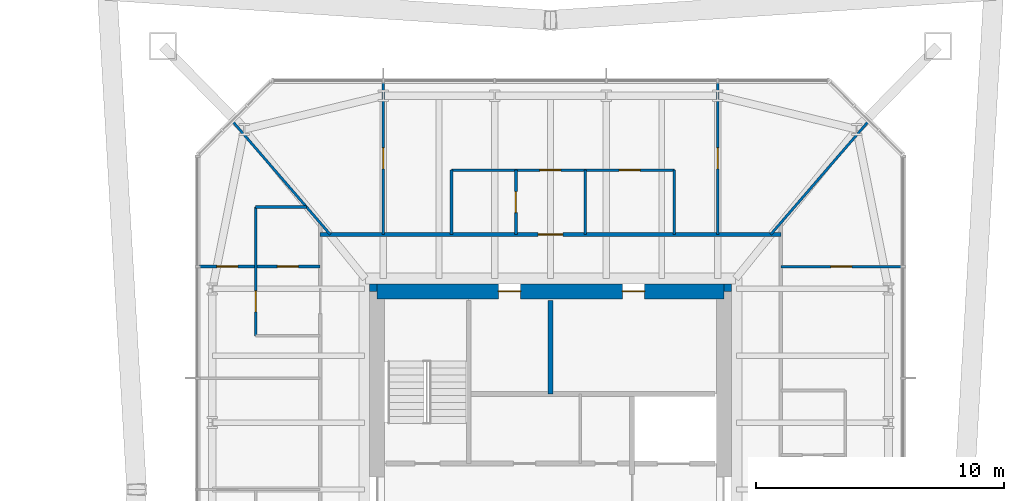
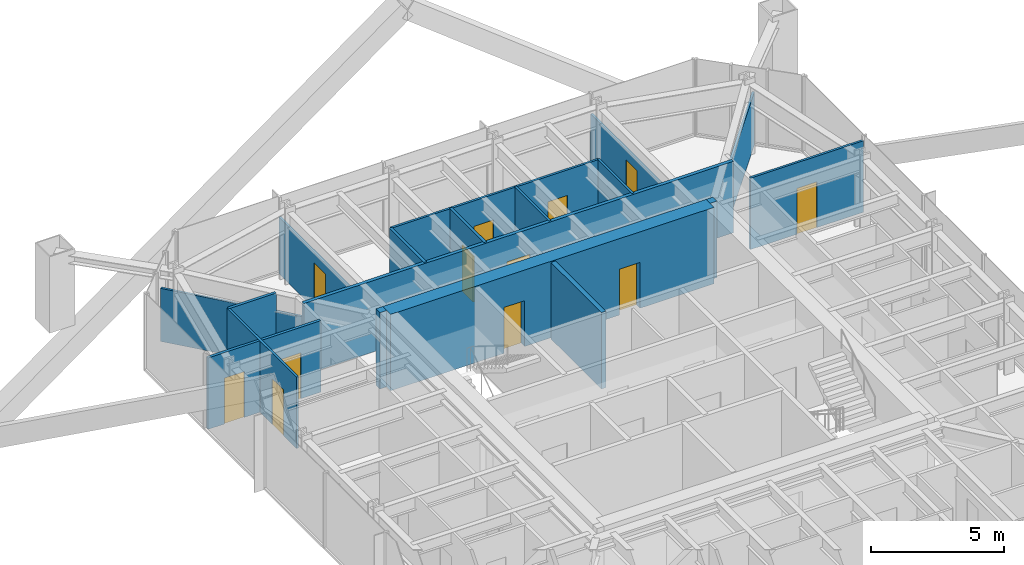
# One storey, part 16 of 21: 18 walls, 12 doors, 12 openings.
"""IFC4 building model written with IfcOpenShell, lengths in metres."""

from ifc_helpers import new_model, si_unit, direction, frame, frame_2d, origin, place, context, subcontext, project, spatial, rectangle, extrude, material, layer, layer_set, type_object, element, fill, save


model = new_model("IFC4")

# Units and contexts
model_context = context("Model", 3, precision=1e-05, world=origin(), true_north=direction((0.0, 1.0)))
body_context = subcontext(model_context, "Body", "Model", "MODEL_VIEW")
ifc_project = project(units=[si_unit("LENGTHUNIT", "METRE"), si_unit("AREAUNIT", "SQUARE_METRE"), si_unit("VOLUMEUNIT", "CUBIC_METRE"), si_unit("PLANEANGLEUNIT", "RADIAN"), si_unit("MASSUNIT", "GRAM", prefix="KILO")], contexts=[model_context])

# Site, building, storey
site_placement = place(None, origin())
site = spatial("IfcSite", under=ifc_project, at=site_placement, CompositionType="ELEMENT")
building_placement = place(site_placement, origin())
building = spatial("IfcBuilding", under=site, at=building_placement, Name="Iwan Alto Co-Living Towers", CompositionType="ELEMENT")
storey_placement = place(building_placement, frame((0.0, 0.0, 80.5)))
storey = spatial("IfcBuildingStorey", under=building, at=storey_placement, Name="L21", CompositionType="ELEMENT", Elevation=80.5)

# Wall, opening, door
ifc_material_1 = material(Name="Gypsum board")
ifc_layer_1 = layer(ifc_material_1, 0.02490234375, Name="Board", Category="Finish")
ifc_material_2 = material(Name="Steel ASTM A1003 ST33H cold-formed studs", Category="steel")
ifc_layer_2 = layer(ifc_material_2, 0.10009765625, Name="Studs", Category="Framing")
ifc_layer_3 = layer(ifc_material_1, 0.02490234375, Name="Board", Category="Finish")
ifc_layer_set_1 = layer_set([ifc_layer_1, ifc_layer_2, ifc_layer_3], Name="CORRIDOR WALL 150")
wall_type_1 = type_object("IfcWallType", Name="CORRIDOR WALL 150", PredefinedType="PARTITIONING", material=ifc_layer_set_1)
wall_1_placement = place(storey_placement, frame((53.699951171875, 10.300048828125, 0.0), z_axis=(0.0, 0.0, 1.0), x_axis=(1.0, 0.0, 0.0)))
wall_1 = element("IfcWall", 1, at=wall_1_placement, inside=storey, type_object=wall_type_1, Name="Partition L21", PredefinedType="PARTITIONING", context=body_context, shape_type="SweptSolid", body=[
    extrude(rectangle(XDim=18.60009765625, YDim=0.14990234375, at=frame_2d((9.300048828125, 0.0))), origin(), (0.0, 0.0, 1.0), 3.27001953125),
])
opening_1_placement = place(wall_1_placement, frame((8.800048828125, 0.0, 0.0)))
opening_1 = element("IfcOpeningElement", 2, at=opening_1_placement, cuts=wall_1, Name="Opening D3", PredefinedType="OPENING", context=body_context, shape_type="SweptSolid", body=[
    extrude(rectangle(XDim=1.0, YDim=2.10009765625, at=frame_2d((0.5, 1.050048828125))), frame((0.0, 0.0849609375, 0.0), z_axis=(0.0, -1.0, 0.0), x_axis=(1.0, 0.0, 0.0)), (0.0, 0.0, 1.0), 0.169921875),
])
ifc_material_3 = material(Name="Steel frame with timber leaf", Category="steel")
door_type_1 = type_object("IfcDoorType", Name="FLAT ENTRANCE DOOR FD30S 1000X2100", OperationType="SINGLE_SWING_LEFT", PredefinedType="DOOR", material=ifc_material_3)
door_1_placement = place(opening_1_placement, origin())
door_1 = element("IfcDoor", 3, at=door_1_placement, inside=storey, type_object=door_type_1, Name="Apartment foyer door L21", OperationType="SINGLE_SWING_LEFT", OverallHeight=2.10009765625, OverallWidth=1.0, PredefinedType="DOOR", context=body_context, shape_type="SweptSolid", body=[
    extrude(rectangle(XDim=1.0, YDim=2.10009765625, at=frame_2d((0.5, 1.050048828125))), frame((0.0, 0.02490234375, 0.0), z_axis=(0.0, -1.0, 0.0), x_axis=(1.0, 0.0, 0.0)), (0.0, 0.0, 1.0), 0.050048828125),
])
fill(opening_1, door_1)

ifc_layer_4 = layer(ifc_material_1, 0.012451171875, Name="Board", Category="Finish")
ifc_layer_5 = layer(ifc_material_2, 0.074951171875, Name="Studs", Category="Framing")
ifc_layer_6 = layer(ifc_material_1, 0.012451171875, Name="Board", Category="Finish")
ifc_layer_set_2 = layer_set([ifc_layer_4, ifc_layer_5, ifc_layer_6], Name="PARTITION 100")
wall_type_2 = type_object("IfcWallType", Name="PARTITION 100", PredefinedType="PARTITIONING", material=ifc_layer_set_2)
wall_2_placement = place(storey_placement, frame((72.300048828125, 9.0, 0.0), z_axis=(0.0, 0.0, 1.0), x_axis=(1.0, 0.0, 0.0)))
wall_2 = element("IfcWall", 4, at=wall_2_placement, inside=storey, type_object=wall_type_2, Name="Partition L21", PredefinedType="PARTITIONING", context=body_context, shape_type="SweptSolid", body=[
    extrude(rectangle(XDim=4.889892578125, YDim=0.10009765625, at=frame_2d((2.44482421875, 0.0))), origin(), (0.0, 0.0, 1.0), 3.27001953125),
])
opening_2_placement = place(wall_2_placement, frame((2.02001953125, 0.0, 0.0)))
opening_2 = element("IfcOpeningElement", 5, at=opening_2_placement, cuts=wall_2, Name="Opening D2", PredefinedType="OPENING", context=body_context, shape_type="SweptSolid", body=[
    extrude(rectangle(XDim=0.85009765625, YDim=2.10009765625, at=frame_2d((0.425048828125, 1.050048828125))), frame((0.0, 0.06005859375, 0.0), z_axis=(0.0, -1.0, 0.0), x_axis=(1.0, 0.0, 0.0)), (0.0, 0.0, 1.0), 0.1201171875),
])
ifc_material_4 = material(Name="Timber leaf in steel frame", Category="steel")
door_type_2 = type_object("IfcDoorType", Name="ROOM DOOR 850X2100", OperationType="SINGLE_SWING_LEFT", PredefinedType="DOOR", material=ifc_material_4)
door_2_placement = place(opening_2_placement, frame((0.85009765625, 0.0, 0.0), z_axis=(0.0, 0.0, 1.0), x_axis=(-1.0, 0.0, 0.0)))
door_2 = element("IfcDoor", 6, at=door_2_placement, inside=storey, type_object=door_type_2, Name="Bedroom door L21", OperationType="SINGLE_SWING_RIGHT", OverallHeight=2.10009765625, OverallWidth=0.85009765625, PredefinedType="DOOR", context=body_context, shape_type="SweptSolid", body=[
    extrude(rectangle(XDim=0.85009765625, YDim=2.10009765625, at=frame_2d((0.425048828125, 1.050048828125))), frame((0.0, 0.02490234375, 0.0), z_axis=(0.0, -1.0, 0.0), x_axis=(1.0, 0.0, 0.0)), (0.0, 0.0, 1.0), 0.050048828125),
])
fill(opening_2, door_2)

# Wall, openings, doors
wall_3_placement = place(storey_placement, frame((59.0, 12.89990234375, 0.0), z_axis=(0.0, 0.0, 1.0), x_axis=(1.0, 0.0, 0.0)))
wall_3 = element("IfcWall", 7, at=wall_3_placement, inside=storey, type_object=wall_type_2, Name="Partition L21", PredefinedType="PARTITIONING", context=body_context, shape_type="SweptSolid", body=[
    extrude(rectangle(XDim=9.0, YDim=0.10009765625, at=frame_2d((4.5, 0.0))), origin(), (0.0, 0.0, 1.0), 3.27001953125),
])
opening_3_placement = place(wall_3_placement, frame((6.77490234375, 0.0, 0.0)))
opening_3 = element("IfcOpeningElement", 8, at=opening_3_placement, cuts=wall_3, Name="Opening D2", PredefinedType="OPENING", context=body_context, shape_type="SweptSolid", body=[
    extrude(rectangle(XDim=0.85009765625, YDim=2.10009765625, at=frame_2d((0.425048828125, 1.050048828125))), frame((0.0, 0.06005859375, 0.0), z_axis=(0.0, -1.0, 0.0), x_axis=(1.0, 0.0, 0.0)), (0.0, 0.0, 1.0), 0.1201171875),
])
opening_4_placement = place(wall_3_placement, frame((3.574951171875, 0.0, 0.0)))
opening_4 = element("IfcOpeningElement", 9, at=opening_4_placement, cuts=wall_3, Name="Opening D2", PredefinedType="OPENING", context=body_context, shape_type="SweptSolid", body=[
    extrude(rectangle(XDim=0.85009765625, YDim=2.10009765625, at=frame_2d((0.425048828125, 1.050048828125))), frame((0.0, 0.06005859375, 0.0), z_axis=(0.0, -1.0, 0.0), x_axis=(1.0, 0.0, 0.0)), (0.0, 0.0, 1.0), 0.1201171875),
])
door_3_placement = place(opening_3_placement, origin())
door_3 = element("IfcDoor", 10, at=door_3_placement, inside=storey, type_object=door_type_2, Name="Kitchen door L21", OperationType="SINGLE_SWING_RIGHT", OverallHeight=2.10009765625, OverallWidth=0.85009765625, PredefinedType="DOOR", context=body_context, shape_type="SweptSolid", body=[
    extrude(rectangle(XDim=0.85009765625, YDim=2.10009765625, at=frame_2d((0.425048828125, 1.050048828125))), frame((0.0, 0.02490234375, 0.0), z_axis=(0.0, -1.0, 0.0), x_axis=(1.0, 0.0, 0.0)), (0.0, 0.0, 1.0), 0.050048828125),
])
fill(opening_3, door_3)
door_4_placement = place(opening_4_placement, origin())
door_4 = element("IfcDoor", 11, at=door_4_placement, inside=storey, type_object=door_type_2, Name="Apartment foyer door L21", OperationType="SINGLE_SWING_LEFT", OverallHeight=2.10009765625, OverallWidth=0.85009765625, PredefinedType="DOOR", context=body_context, shape_type="SweptSolid", body=[
    extrude(rectangle(XDim=0.85009765625, YDim=2.10009765625, at=frame_2d((0.425048828125, 1.050048828125))), frame((0.0, 0.02490234375, 0.0), z_axis=(0.0, -1.0, 0.0), x_axis=(1.0, 0.0, 0.0)), (0.0, 0.0, 1.0), 0.050048828125),
])
fill(opening_4, door_4)

# Wall
wall_4_placement = place(storey_placement, frame((71.89501953125, 10.300048828125, 0.0), z_axis=(0.0, 0.0, 1.0), x_axis=(0.65378286253, 0.756682211144, 0.0)))
element("IfcWall", 12, at=wall_4_placement, inside=storey, type_object=wall_type_2, Name="Partition L21", PredefinedType="PARTITIONING", context=body_context, shape_type="SweptSolid", body=[
    extrude(rectangle(XDim=6.005126953125, YDim=0.10009765625, at=frame_2d((3.00244140625, 0.0))), origin(), (0.0, 0.0, 1.0), 2.42919921875),
])

# Wall, opening, door
wall_5_placement = place(storey_placement, frame((69.75, 10.300048828125, 0.0), z_axis=(0.0, 0.0, 1.0), x_axis=(0.0, 1.0, 0.0)))
wall_5 = element("IfcWall", 13, at=wall_5_placement, inside=storey, type_object=wall_type_2, Name="Partition L21", PredefinedType="PARTITIONING", context=body_context, shape_type="SweptSolid", body=[
    extrude(rectangle(XDim=6.139892578125, YDim=0.10009765625, at=frame_2d((3.06982421875, 0.0))), origin(), (0.0, 0.0, 1.0), 2.586669921875),
])
opening_5_placement = place(wall_5_placement, frame((2.64501953125, 0.0, 0.0)))
opening_5 = element("IfcOpeningElement", 14, at=opening_5_placement, cuts=wall_5, Name="Opening D2", PredefinedType="OPENING", context=body_context, shape_type="SweptSolid", body=[
    extrude(rectangle(XDim=0.85009765625, YDim=2.10009765625, at=frame_2d((0.425048828125, 1.050048828125))), frame((0.0, 0.06005859375, 0.0), z_axis=(0.0, -1.0, 0.0), x_axis=(1.0, 0.0, 0.0)), (0.0, 0.0, 1.0), 0.1201171875),
])
door_5_placement = place(opening_5_placement, origin())
door_5 = element("IfcDoor", 15, at=door_5_placement, inside=storey, type_object=door_type_2, Name="Bedroom door L21", OperationType="SINGLE_SWING_LEFT", OverallHeight=2.10009765625, OverallWidth=0.85009765625, PredefinedType="DOOR", context=body_context, shape_type="SweptSolid", body=[
    extrude(rectangle(XDim=0.85009765625, YDim=2.10009765625, at=frame_2d((0.425048828125, 1.050048828125))), frame((0.0, 0.02490234375, 0.0), z_axis=(0.0, -1.0, 0.0), x_axis=(1.0, 0.0, 0.0)), (0.0, 0.0, 1.0), 0.050048828125),
])
fill(opening_5, door_5)

# Walls
for number, where, z_axis, x_axis, name in (
    (16, (68.0, 10.300048828125, 0.0), (0.0, 0.0, 1.0), (0.0, 1.0, 0.0), "Partition L21"),
    (17, (64.39990234375, 10.300048828125, 0.0), (0.0, 0.0, 1.0), (0.0, 1.0, 0.0), "Partition L21"),
):
    element("IfcWall", number, at=place(storey_placement, frame(where, z_axis=z_axis, x_axis=x_axis)), inside=storey, type_object=wall_type_2, Name=name, PredefinedType="PARTITIONING", context=body_context, shape_type="SweptSolid", body=[
        extrude(rectangle(XDim=2.599853515625, YDim=0.10009765625, at=frame_2d((1.2998046875, 0.0))), origin(), (0.0, 0.0, 1.0), 3.27001953125),
    ])

# Wall, opening, door
wall_6_placement = place(storey_placement, frame((56.25, 10.300048828125, 0.0), z_axis=(0.0, 0.0, 1.0), x_axis=(0.0, 1.0, 0.0)))
wall_6 = element("IfcWall", 18, at=wall_6_placement, inside=storey, type_object=wall_type_2, Name="Partition L21", PredefinedType="PARTITIONING", context=body_context, shape_type="SweptSolid", body=[
    extrude(rectangle(XDim=6.139892578125, YDim=0.10009765625, at=frame_2d((3.06982421875, 0.0))), origin(), (0.0, 0.0, 1.0), 2.586669921875),
])
opening_6_placement = place(wall_6_placement, frame((2.64501953125, 0.0, 0.0)))
opening_6 = element("IfcOpeningElement", 19, at=opening_6_placement, cuts=wall_6, Name="Opening D2", PredefinedType="OPENING", context=body_context, shape_type="SweptSolid", body=[
    extrude(rectangle(XDim=0.85009765625, YDim=2.10009765625, at=frame_2d((0.425048828125, 1.050048828125))), frame((0.0, 0.06005859375, 0.0), z_axis=(0.0, -1.0, 0.0), x_axis=(1.0, 0.0, 0.0)), (0.0, 0.0, 1.0), 0.1201171875),
])
door_6_placement = place(opening_6_placement, frame((0.85009765625, 0.0, 0.0), z_axis=(0.0, 0.0, 1.0), x_axis=(-1.0, 0.0, 0.0)))
door_6 = element("IfcDoor", 20, at=door_6_placement, inside=storey, type_object=door_type_2, Name="Bedroom door L21", OperationType="SINGLE_SWING_RIGHT", OverallHeight=2.10009765625, OverallWidth=0.85009765625, PredefinedType="DOOR", context=body_context, shape_type="SweptSolid", body=[
    extrude(rectangle(XDim=0.85009765625, YDim=2.10009765625, at=frame_2d((0.425048828125, 1.050048828125))), frame((0.0, 0.02490234375, 0.0), z_axis=(0.0, -1.0, 0.0), x_axis=(1.0, 0.0, 0.0)), (0.0, 0.0, 1.0), 0.050048828125),
])
fill(opening_6, door_6)

wall_7_placement = place(storey_placement, frame((51.10009765625, 6.199951171875, 0.0), z_axis=(0.0, 0.0, 1.0), x_axis=(0.0, 1.0, 0.0)))
wall_7 = element("IfcWall", 21, at=wall_7_placement, inside=storey, type_object=wall_type_2, Name="Partition L21", PredefinedType="PARTITIONING", context=body_context, shape_type="SweptSolid", body=[
    extrude(rectangle(XDim=5.199951171875, YDim=0.10009765625, at=frame_2d((2.60009765625, 0.0))), origin(), (0.0, 0.0, 1.0), 3.27001953125),
])
opening_7_placement = place(wall_7_placement, frame((0.97509765625, 0.0, 0.0)))
opening_7 = element("IfcOpeningElement", 22, at=opening_7_placement, cuts=wall_7, Name="Opening D2", PredefinedType="OPENING", context=body_context, shape_type="SweptSolid", body=[
    extrude(rectangle(XDim=0.85009765625, YDim=2.10009765625, at=frame_2d((0.425048828125, 1.050048828125))), frame((0.0, 0.06005859375, 0.0), z_axis=(0.0, -1.0, 0.0), x_axis=(1.0, 0.0, 0.0)), (0.0, 0.0, 1.0), 0.1201171875),
])
door_7_placement = place(opening_7_placement, origin())
door_7 = element("IfcDoor", 23, at=door_7_placement, inside=storey, type_object=door_type_2, Name="Apartment foyer door L21", OperationType="SINGLE_SWING_RIGHT", OverallHeight=2.10009765625, OverallWidth=0.85009765625, PredefinedType="DOOR", context=body_context, shape_type="SweptSolid", body=[
    extrude(rectangle(XDim=0.85009765625, YDim=2.10009765625, at=frame_2d((0.425048828125, 1.050048828125))), frame((0.0, 0.02490234375, 0.0), z_axis=(0.0, -1.0, 0.0), x_axis=(1.0, 0.0, 0.0)), (0.0, 0.0, 1.0), 0.050048828125),
])
fill(opening_7, door_7)

# Walls
wall_8_placement = place(storey_placement, frame((54.10498046875, 10.300048828125, 0.0), z_axis=(0.0, 0.0, 1.0), x_axis=(-0.653606109319, 0.756834892074, 0.0)))
element("IfcWall", 24, at=wall_8_placement, inside=storey, type_object=wall_type_2, Name="Partition L21", PredefinedType="PARTITIONING", context=body_context, shape_type="SweptSolid", body=[
    extrude(rectangle(XDim=6.0048828125, YDim=0.10009765625, at=frame_2d((3.00244140625, 0.0))), origin(), (0.0, 0.0, 1.0), 2.42919921875),
])
ifc_material_5 = material(Name="Concrete f'c 70 MPa", Category="concrete")
ifc_layer_7 = layer(ifc_material_5, 0.199951171875)
ifc_layer_set_3 = layer_set([ifc_layer_7], Name="SHAFT WALL 200")
wall_type_3 = type_object("IfcWallType", Name="SHAFT WALL 200", PredefinedType="SOLIDWALL", material=ifc_layer_set_3)
wall_9_placement = place(storey_placement, frame((63.0, 3.85009765625, 0.0), z_axis=(0.0, 0.0, 1.0), x_axis=(0.0, 1.0, 0.0)))
element("IfcWall", 25, at=wall_9_placement, inside=storey, type_object=wall_type_3, Name="Shaft wall L21", PredefinedType="SOLIDWALL", context=body_context, shape_type="SweptSolid", body=[
    extrude(rectangle(XDim=3.789794921875, YDim=0.199951171875, at=frame_2d((1.89501953125, 0.0))), origin(), (0.0, 0.0, 1.0), 3.5),
])
ifc_material_6 = material(Name="Concrete f'c 70 MPa", Category="concrete")
ifc_layer_8 = layer(ifc_material_6, 0.300048828125)
ifc_layer_set_4 = layer_set([ifc_layer_8], Name="T2 CORE CORNER FILL 300")
wall_type_4 = type_object("IfcWallType", Name="T2 CORE CORNER FILL 300", PredefinedType="SOLIDWALL", material=ifc_layer_set_4)
for number, where, z_axis, x_axis, name in (
    (26, (70.0, 8.14990234375, 0.0), (0.0, 0.0, 1.0), (1.0, 0.0, 0.0), "T2 core corner NE L21"),
    (27, (55.699951171875, 8.14990234375, 0.0), (0.0, 0.0, 1.0), (1.0, 0.0, 0.0), "T2 core corner NW L21"),
):
    element("IfcWall", number, at=place(storey_placement, frame(where, z_axis=z_axis, x_axis=x_axis)), inside=storey, type_object=wall_type_4, Name=name, PredefinedType="SOLIDWALL", context=body_context, shape_type="SweptSolid", body=[
        extrude(rectangle(XDim=0.300048828125, YDim=0.300048828125, at=frame_2d((0.14990234375, 0.0))), origin(), (0.0, 0.0, 1.0), 3.5),
    ])

# Wall, openings, doors
ifc_material_7 = material(Name="Concrete f'c 70 MPa", Category="concrete")
ifc_layer_9 = layer(ifc_material_7, 0.60009765625)
ifc_layer_set_5 = layer_set([ifc_layer_9], Name="T2 CORE WALL 600")
wall_type_5 = type_object("IfcWallType", Name="T2 CORE WALL 600", PredefinedType="SHEAR", material=ifc_layer_set_5)
wall_10_placement = place(storey_placement, frame((70.0, 8.0, 0.0), z_axis=(0.0, 0.0, 1.0), x_axis=(-1.0, 0.0, 0.0)))
wall_10 = element("IfcWall", 28, at=wall_10_placement, inside=storey, type_object=wall_type_5, Name="T2 core wall N L21", PredefinedType="SHEAR", context=body_context, shape_type="SweptSolid", body=[
    extrude(rectangle(XDim=14.0, YDim=0.60009765625, at=frame_2d((7.0, 0.0))), origin(), (0.0, 0.0, 1.0), 3.5),
])
opening_8_placement = place(wall_10_placement, frame((8.199951171875, 0.0, 0.0)))
opening_8 = element("IfcOpeningElement", 29, at=opening_8_placement, cuts=wall_10, Name="Opening D8", PredefinedType="OPENING", context=body_context, shape_type="SweptSolid", body=[
    extrude(rectangle(XDim=0.89990234375, YDim=2.10009765625, at=frame_2d((0.449951171875, 1.050048828125))), frame((0.0, 0.31005859375, 0.0), z_axis=(0.0, -1.0, 0.0), x_axis=(1.0, 0.0, 0.0)), (0.0, 0.0, 1.0), 0.6201171875),
])
opening_9_placement = place(wall_10_placement, frame((3.199951171875, 0.0, 0.0)))
opening_9 = element("IfcOpeningElement", 30, at=opening_9_placement, cuts=wall_10, Name="Opening D8", PredefinedType="OPENING", context=body_context, shape_type="SweptSolid", body=[
    extrude(rectangle(XDim=0.89990234375, YDim=2.10009765625, at=frame_2d((0.449951171875, 1.050048828125))), frame((0.0, 0.31005859375, 0.0), z_axis=(0.0, -1.0, 0.0), x_axis=(1.0, 0.0, 0.0)), (0.0, 0.0, 1.0), 0.6201171875),
])
ifc_material_8 = material(Name="Steel frame with timber leaf", Category="steel")
door_type_3 = type_object("IfcDoorType", Name="RISER DOOR FD120 900X2100", OperationType="SINGLE_SWING_LEFT", PredefinedType="DOOR", material=ifc_material_8)
door_8_placement = place(opening_8_placement, origin())
door_8 = element("IfcDoor", 31, at=door_8_placement, inside=storey, type_object=door_type_3, Name="Electrical riser core door L21", OperationType="SINGLE_SWING_RIGHT", OverallHeight=2.10009765625, OverallWidth=0.89990234375, PredefinedType="DOOR", context=body_context, shape_type="SweptSolid", body=[
    extrude(rectangle(XDim=0.89990234375, YDim=2.10009765625, at=frame_2d((0.449951171875, 1.050048828125))), frame((0.0, 0.02490234375, 0.0), z_axis=(0.0, -1.0, 0.0), x_axis=(1.0, 0.0, 0.0)), (0.0, 0.0, 1.0), 0.050048828125),
])
fill(opening_8, door_8)
door_9_placement = place(opening_9_placement, origin())
door_9 = element("IfcDoor", 32, at=door_9_placement, inside=storey, type_object=door_type_3, Name="Water and drainage riser core door L21", OperationType="SINGLE_SWING_RIGHT", OverallHeight=2.10009765625, OverallWidth=0.89990234375, PredefinedType="DOOR", context=body_context, shape_type="SweptSolid", body=[
    extrude(rectangle(XDim=0.89990234375, YDim=2.10009765625, at=frame_2d((0.449951171875, 1.050048828125))), frame((0.0, 0.02490234375, 0.0), z_axis=(0.0, -1.0, 0.0), x_axis=(1.0, 0.0, 0.0)), (0.0, 0.0, 1.0), 0.050048828125),
])
fill(opening_9, door_9)

ifc_material_9 = material(Name="Cement board")
ifc_layer_10 = layer(ifc_material_9, 0.012451171875, Name="Board", Category="Finish")
ifc_layer_11 = layer(ifc_material_2, 0.094970703125, Name="Studs", Category="Framing")
ifc_layer_12 = layer(ifc_material_9, 0.012451171875, Name="Board", Category="Finish")
ifc_layer_set_6 = layer_set([ifc_layer_10, ifc_layer_11, ifc_layer_12], Name="WET AREA PARTITION 120")
wall_type_6 = type_object("IfcWallType", Name="WET AREA PARTITION 120", PredefinedType="PARTITIONING", material=ifc_layer_set_6)
wall_11_placement = place(storey_placement, frame((48.81005859375, 9.0, 0.0), z_axis=(0.0, 0.0, 1.0), x_axis=(1.0, 0.0, 0.0)))
wall_11 = element("IfcWall", 33, at=wall_11_placement, inside=storey, type_object=wall_type_6, Name="Partition L21", PredefinedType="PARTITIONING", context=body_context, shape_type="SweptSolid", body=[
    extrude(rectangle(XDim=4.889892578125, YDim=0.1201171875, at=frame_2d((2.44482421875, 0.0))), origin(), (0.0, 0.0, 1.0), 3.27001953125),
])
opening_10_placement = place(wall_11_placement, frame((3.1650390625, 0.0, 0.0)))
opening_10 = element("IfcOpeningElement", 34, at=opening_10_placement, cuts=wall_11, Name="Opening D2", PredefinedType="OPENING", context=body_context, shape_type="SweptSolid", body=[
    extrude(rectangle(XDim=0.85009765625, YDim=2.10009765625, at=frame_2d((0.425048828125, 1.050048828125))), frame((0.0, 0.070068359375, 0.0), z_axis=(0.0, -1.0, 0.0), x_axis=(1.0, 0.0, 0.0)), (0.0, 0.0, 1.0), 0.14013671875),
])
opening_11_placement = place(wall_11_placement, frame((0.719970703125, 0.0, 0.0)))
opening_11 = element("IfcOpeningElement", 35, at=opening_11_placement, cuts=wall_11, Name="Opening D2", PredefinedType="OPENING", context=body_context, shape_type="SweptSolid", body=[
    extrude(rectangle(XDim=0.85009765625, YDim=2.10009765625, at=frame_2d((0.425048828125, 1.050048828125))), frame((0.0, 0.070068359375, 0.0), z_axis=(0.0, -1.0, 0.0), x_axis=(1.0, 0.0, 0.0)), (0.0, 0.0, 1.0), 0.14013671875),
])
door_10_placement = place(opening_10_placement, origin())
door_10 = element("IfcDoor", 36, at=door_10_placement, inside=storey, type_object=door_type_2, Name="Bathroom door L21", OperationType="SINGLE_SWING_LEFT", OverallHeight=2.10009765625, OverallWidth=0.85009765625, PredefinedType="DOOR", context=body_context, shape_type="SweptSolid", body=[
    extrude(rectangle(XDim=0.85009765625, YDim=2.10009765625, at=frame_2d((0.425048828125, 1.050048828125))), frame((0.0, 0.02490234375, 0.0), z_axis=(0.0, -1.0, 0.0), x_axis=(1.0, 0.0, 0.0)), (0.0, 0.0, 1.0), 0.050048828125),
])
fill(opening_10, door_10)
door_11_placement = place(opening_11_placement, frame((0.85009765625, 0.0, 0.0), z_axis=(0.0, 0.0, 1.0), x_axis=(-1.0, 0.0, 0.0)))
door_11 = element("IfcDoor", 37, at=door_11_placement, inside=storey, type_object=door_type_2, Name="Bedroom door L21", OperationType="SINGLE_SWING_LEFT", OverallHeight=2.10009765625, OverallWidth=0.85009765625, PredefinedType="DOOR", context=body_context, shape_type="SweptSolid", body=[
    extrude(rectangle(XDim=0.85009765625, YDim=2.10009765625, at=frame_2d((0.425048828125, 1.050048828125))), frame((0.0, 0.02490234375, 0.0), z_axis=(0.0, -1.0, 0.0), x_axis=(1.0, 0.0, 0.0)), (0.0, 0.0, 1.0), 0.050048828125),
])
fill(opening_11, door_11)

# Wall
wall_12_placement = place(storey_placement, frame((51.10009765625, 11.39990234375, 0.0), z_axis=(0.0, 0.0, 1.0), x_axis=(1.0, 0.0, 0.0)))
element("IfcWall", 38, at=wall_12_placement, inside=storey, type_object=wall_type_6, Name="Partition L21", PredefinedType="PARTITIONING", context=body_context, shape_type="SweptSolid", body=[
    extrude(rectangle(XDim=2.054931640625, YDim=0.1201171875, at=frame_2d((1.02734375, 0.0))), origin(), (0.0, 0.0, 1.0), 3.27001953125),
])

# Wall, opening, door
wall_13_placement = place(storey_placement, frame((61.60009765625, 10.300048828125, 0.0), z_axis=(0.0, 0.0, 1.0), x_axis=(0.0, 1.0, 0.0)))
wall_13 = element("IfcWall", 39, at=wall_13_placement, inside=storey, type_object=wall_type_6, Name="Partition L21", PredefinedType="PARTITIONING", context=body_context, shape_type="SweptSolid", body=[
    extrude(rectangle(XDim=2.599853515625, YDim=0.1201171875, at=frame_2d((1.2998046875, 0.0))), origin(), (0.0, 0.0, 1.0), 3.27001953125),
])
opening_12_placement = place(wall_13_placement, frame((0.875, 0.0, 0.0)))
opening_12 = element("IfcOpeningElement", 40, at=opening_12_placement, cuts=wall_13, Name="Opening D2", PredefinedType="OPENING", context=body_context, shape_type="SweptSolid", body=[
    extrude(rectangle(XDim=0.85009765625, YDim=2.10009765625, at=frame_2d((0.425048828125, 1.050048828125))), frame((0.0, 0.070068359375, 0.0), z_axis=(0.0, -1.0, 0.0), x_axis=(1.0, 0.0, 0.0)), (0.0, 0.0, 1.0), 0.14013671875),
])
door_12_placement = place(opening_12_placement, origin())
door_12 = element("IfcDoor", 41, at=door_12_placement, inside=storey, type_object=door_type_2, Name="Bathroom door L21", OperationType="SINGLE_SWING_LEFT", OverallHeight=2.10009765625, OverallWidth=0.85009765625, PredefinedType="DOOR", context=body_context, shape_type="SweptSolid", body=[
    extrude(rectangle(XDim=0.85009765625, YDim=2.10009765625, at=frame_2d((0.425048828125, 1.050048828125))), frame((0.0, 0.02490234375, 0.0), z_axis=(0.0, -1.0, 0.0), x_axis=(1.0, 0.0, 0.0)), (0.0, 0.0, 1.0), 0.050048828125),
])
fill(opening_12, door_12)

# Wall
wall_14_placement = place(storey_placement, frame((59.0, 10.300048828125, 0.0), z_axis=(0.0, 0.0, 1.0), x_axis=(0.0, 1.0, 0.0)))
element("IfcWall", 42, at=wall_14_placement, inside=storey, type_object=wall_type_6, Name="Partition L21", PredefinedType="PARTITIONING", context=body_context, shape_type="SweptSolid", body=[
    extrude(rectangle(XDim=2.599853515625, YDim=0.1201171875, at=frame_2d((1.2998046875, 0.0))), origin(), (0.0, 0.0, 1.0), 3.27001953125),
])

save(model, "model.ifc")
